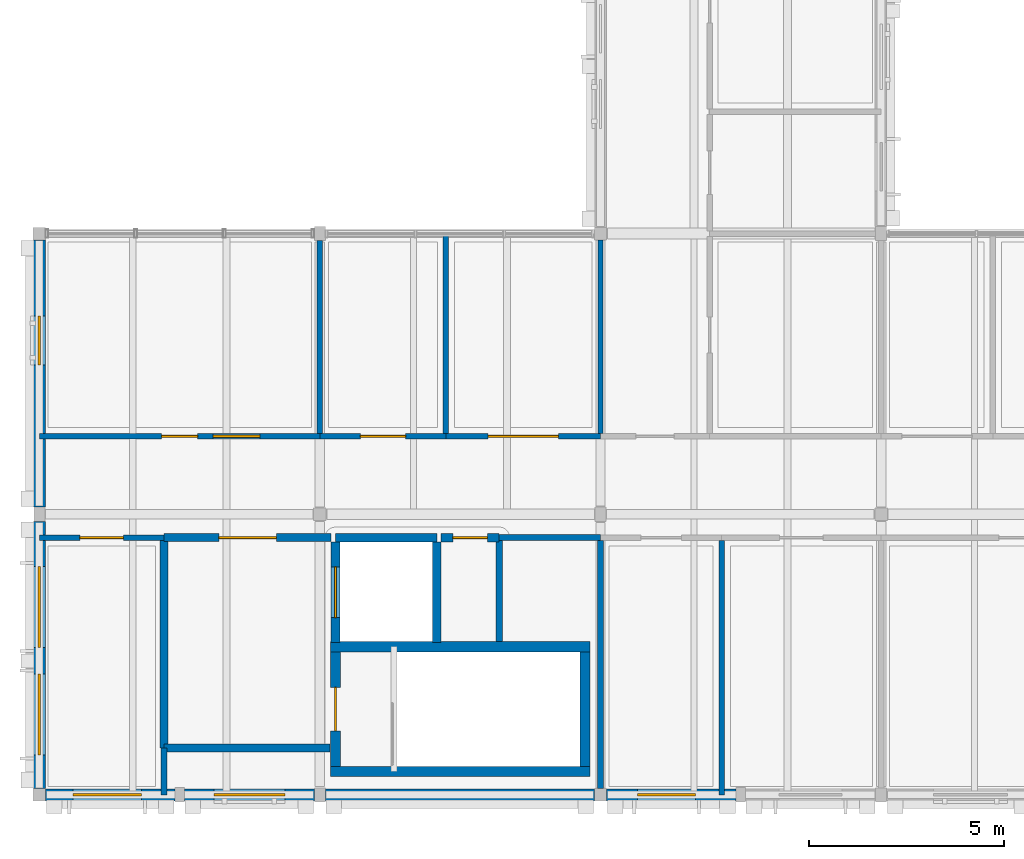
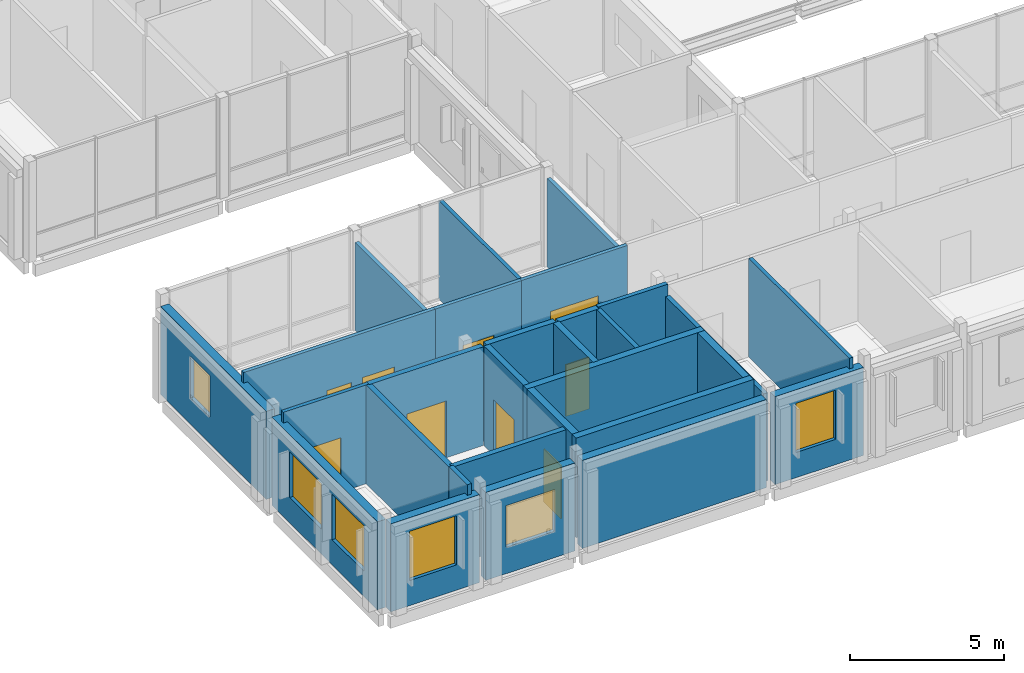
# One storey, part 81 of 115: 29 walls, 8 doors, 7 windows, 15 openings.
"""IFC4 building model written with IfcOpenShell, lengths in metres."""

from ifc_helpers import new_model, si_unit, direction, frame, frame_2d, origin, place, context, subcontext, project, spatial, rectangle, extrude, material, layer, layer_set, type_object, element, fill, save


model = new_model("IFC4")

# Units and contexts
model_context = context("Model", 3, precision=1e-05, world=origin(), true_north=direction((0.0, 1.0)))
body_context = subcontext(model_context, "Body", "Model", "MODEL_VIEW")
ifc_project = project(units=[si_unit("LENGTHUNIT", "METRE"), si_unit("AREAUNIT", "SQUARE_METRE"), si_unit("VOLUMEUNIT", "CUBIC_METRE"), si_unit("PLANEANGLEUNIT", "RADIAN"), si_unit("MASSUNIT", "GRAM", prefix="KILO")], contexts=[model_context])

# Site, building, storey
site_placement = place(None, origin())
site = spatial("IfcSite", under=ifc_project, at=site_placement, CompositionType="ELEMENT")
building_placement = place(site_placement, origin())
building = spatial("IfcBuilding", under=site, at=building_placement, Name="Hawrajan Terrace Health Centre", CompositionType="ELEMENT")
storey_placement = place(building_placement, frame((0.0, 0.0, 9.0)))
storey = spatial("IfcBuildingStorey", under=building, at=storey_placement, Name="L02", CompositionType="ELEMENT", Elevation=9.0)

# Wall, opening, window
ifc_material_1 = material(Name="Precast concrete C40/50", Category="concrete")
ifc_layer_1 = layer(ifc_material_1, 0.31005859375)
ifc_layer_set_1 = layer_set([ifc_layer_1], Name="Precast concrete C40/50")
wall_type_1 = type_object("IfcWallType", Name="ArtDecoFacadeWall_310", PredefinedType="SOLIDWALL", material=ifc_layer_set_1)
wall_1_placement = place(storey_placement, frame((4.760009765625, 4.199951171875, 0.0), z_axis=(0.0, 0.0, 1.0), x_axis=(1.0, 0.0, 0.0)))
wall_1 = element("IfcWall", 1, at=wall_1_placement, inside=storey, type_object=wall_type_1, Name="Exterior wall EW-L02-H00-00-1", PredefinedType="SOLIDWALL", context=body_context, shape_type="SweptSolid", body=[
    extrude(rectangle(XDim=3.320068359375, YDim=0.31005859375, at=frame_2d((1.66015625, 0.0))), origin(), (0.0, 0.0, 1.0), 3.489990234375),
])
opening_1_placement = place(wall_1_placement, frame((0.699951171875, 0.0, 1.0)))
opening_1 = element("IfcOpeningElement", 2, at=opening_1_placement, cuts=wall_1, Name="Opening W-L02-110", PredefinedType="OPENING", context=body_context, shape_type="SweptSolid", body=[
    extrude(rectangle(XDim=1.760009765625, YDim=1.949951171875, at=frame_2d((0.8798828125, 0.97509765625))), frame((0.0, 0.1650390625, 0.0), z_axis=(0.0, -1.0, 0.0), x_axis=(1.0, 0.0, 0.0)), (0.0, 0.0, 1.0), 0.330078125),
])
ifc_material_2 = material(Name="Anodized bronze frame with double low-E glazing", Category="glass")
window_type_1 = type_object("IfcWindowType", Name="FacadeWindow_1760x1950", PartitioningType="DOUBLE_PANEL_VERTICAL", PredefinedType="WINDOW", material=ifc_material_2)
window_1_placement = place(opening_1_placement, origin())
window_1 = element("IfcWindow", 3, at=window_1_placement, inside=storey, type_object=window_type_1, Name="Window W-L02-110", OverallHeight=1.949951171875, OverallWidth=1.760009765625, PartitioningType="DOUBLE_PANEL_VERTICAL", PredefinedType="WINDOW", context=body_context, shape_type="SweptSolid", body=[
    extrude(rectangle(XDim=1.760009765625, YDim=1.949951171875, at=frame_2d((0.8798828125, 0.97509765625))), frame((0.0, 0.030029296875, 0.0), z_axis=(0.0, -1.0, 0.0), x_axis=(1.0, 0.0, 0.0)), (0.0, 0.0, 1.0), 0.06005859375),
])
fill(opening_1, window_1)

wall_2_placement = place(storey_placement, frame((8.320068359375, 4.199951171875, 0.0), z_axis=(0.0, 0.0, 1.0), x_axis=(1.0, 0.0, 0.0)))
wall_2 = element("IfcWall", 4, at=wall_2_placement, inside=storey, type_object=wall_type_1, Name="Exterior wall EW-L02-H00-00-2", PredefinedType="SOLIDWALL", context=body_context, shape_type="SweptSolid", body=[
    extrude(rectangle(XDim=3.33984375, YDim=0.31005859375, at=frame_2d((1.669921875, 0.0))), origin(), (0.0, 0.0, 1.0), 3.489990234375),
])
opening_2_placement = place(wall_2_placement, frame((0.760009765625, 0.0, 1.050048828125)))
opening_2 = element("IfcOpeningElement", 5, at=opening_2_placement, cuts=wall_2, Name="Opening W-L02-111", PredefinedType="OPENING", context=body_context, shape_type="SweptSolid", body=[
    extrude(rectangle(XDim=1.820068359375, YDim=1.64990234375, at=frame_2d((0.91015625, 0.824951171875))), frame((0.0, 0.1650390625, 0.0), z_axis=(0.0, -1.0, 0.0), x_axis=(1.0, 0.0, 0.0)), (0.0, 0.0, 1.0), 0.330078125),
])
window_type_2 = type_object("IfcWindowType", Name="FacadeWindow_1820x1650", PartitioningType="DOUBLE_PANEL_VERTICAL", PredefinedType="WINDOW", material=ifc_material_2)
window_2_placement = place(opening_2_placement, origin())
window_2 = element("IfcWindow", 6, at=window_2_placement, inside=storey, type_object=window_type_2, Name="Window W-L02-111", OverallHeight=1.64990234375, OverallWidth=1.820068359375, PartitioningType="DOUBLE_PANEL_VERTICAL", PredefinedType="WINDOW", context=body_context, shape_type="SweptSolid", body=[
    extrude(rectangle(XDim=1.820068359375, YDim=1.64990234375, at=frame_2d((0.91015625, 0.824951171875))), frame((0.0, 0.030029296875, 0.0), z_axis=(0.0, -1.0, 0.0), x_axis=(1.0, 0.0, 0.0)), (0.0, 0.0, 1.0), 0.06005859375),
])
fill(opening_2, window_2)

# Wall, openings, windows
wall_3_placement = place(storey_placement, frame((4.60009765625, 4.360107421875, 0.0), z_axis=(0.0, 0.0, 1.0), x_axis=(0.0, 1.0, 0.0)))
wall_3 = element("IfcWall", 7, at=wall_3_placement, inside=storey, type_object=wall_type_1, Name="Exterior wall EW-L02-V00-00-1", PredefinedType="SOLIDWALL", context=body_context, shape_type="SweptSolid", body=[
    extrude(rectangle(XDim=6.85986328125, YDim=0.31005859375, at=frame_2d((3.429931640625, 0.0))), origin(), (0.0, 0.0, 1.0), 3.489990234375),
])
opening_3_placement = place(wall_3_placement, frame((0.860107421875, 0.0, 1.0)))
opening_3 = element("IfcOpeningElement", 8, at=opening_3_placement, cuts=wall_3, Name="Opening W-L02-112", PredefinedType="OPENING", context=body_context, shape_type="SweptSolid", body=[
    extrude(rectangle(XDim=2.080078125, YDim=1.800048828125, at=frame_2d((1.0400390625, 0.89990234375))), frame((0.0, 0.1650390625, 0.0), z_axis=(0.0, -1.0, 0.0), x_axis=(1.0, 0.0, 0.0)), (0.0, 0.0, 1.0), 0.330078125),
])
opening_4_placement = place(wall_3_placement, frame((3.6201171875, 0.0, 1.0)))
opening_4 = element("IfcOpeningElement", 9, at=opening_4_placement, cuts=wall_3, Name="Opening W-L02-113", PredefinedType="OPENING", context=body_context, shape_type="SweptSolid", body=[
    extrude(rectangle(XDim=2.080078125, YDim=1.800048828125, at=frame_2d((1.0400390625, 0.89990234375))), frame((0.0, 0.1650390625, 0.0), z_axis=(0.0, -1.0, 0.0), x_axis=(1.0, 0.0, 0.0)), (0.0, 0.0, 1.0), 0.330078125),
])
window_type_3 = type_object("IfcWindowType", Name="FacadeWindow_2080x1800", PartitioningType="DOUBLE_PANEL_VERTICAL", PredefinedType="WINDOW", material=ifc_material_2)
window_3_placement = place(opening_3_placement, origin())
window_3 = element("IfcWindow", 10, at=window_3_placement, inside=storey, type_object=window_type_3, Name="Window W-L02-112", OverallHeight=1.800048828125, OverallWidth=2.080078125, PartitioningType="DOUBLE_PANEL_VERTICAL", PredefinedType="WINDOW", context=body_context, shape_type="SweptSolid", body=[
    extrude(rectangle(XDim=2.080078125, YDim=1.800048828125, at=frame_2d((1.0400390625, 0.89990234375))), frame((0.0, 0.030029296875, 0.0), z_axis=(0.0, -1.0, 0.0), x_axis=(1.0, 0.0, 0.0)), (0.0, 0.0, 1.0), 0.06005859375),
])
fill(opening_3, window_3)
window_4_placement = place(opening_4_placement, origin())
window_4 = element("IfcWindow", 11, at=window_4_placement, inside=storey, type_object=window_type_3, Name="Window W-L02-113", OverallHeight=1.800048828125, OverallWidth=2.080078125, PartitioningType="DOUBLE_PANEL_VERTICAL", PredefinedType="WINDOW", context=body_context, shape_type="SweptSolid", body=[
    extrude(rectangle(XDim=2.080078125, YDim=1.800048828125, at=frame_2d((1.0400390625, 0.89990234375))), frame((0.0, 0.030029296875, 0.0), z_axis=(0.0, -1.0, 0.0), x_axis=(1.0, 0.0, 0.0)), (0.0, 0.0, 1.0), 0.06005859375),
])
fill(opening_4, window_4)

# Wall, opening, window
wall_4_placement = place(storey_placement, frame((4.60009765625, 11.580078125, 0.0), z_axis=(0.0, 0.0, 1.0), x_axis=(0.0, 1.0, 0.0)))
wall_4 = element("IfcWall", 12, at=wall_4_placement, inside=storey, type_object=wall_type_1, Name="Exterior wall EW-L02-V00-01-1", PredefinedType="SOLIDWALL", context=body_context, shape_type="SweptSolid", body=[
    extrude(rectangle(XDim=6.85986328125, YDim=0.31005859375, at=frame_2d((3.429931640625, 0.0))), origin(), (0.0, 0.0, 1.0), 3.489990234375),
])
opening_5_placement = place(wall_4_placement, frame((3.64990234375, 0.0, 1.050048828125)))
opening_5 = element("IfcOpeningElement", 13, at=opening_5_placement, cuts=wall_4, Name="Opening W-L02-114", PredefinedType="OPENING", context=body_context, shape_type="SweptSolid", body=[
    extrude(rectangle(XDim=1.260009765625, YDim=1.64990234375, at=frame_2d((0.6298828125, 0.824951171875))), frame((0.0, 0.1650390625, 0.0), z_axis=(0.0, -1.0, 0.0), x_axis=(1.0, 0.0, 0.0)), (0.0, 0.0, 1.0), 0.330078125),
])
window_type_4 = type_object("IfcWindowType", Name="FacadeWindow_1260x1650", PartitioningType="SINGLE_PANEL", PredefinedType="WINDOW", material=ifc_material_2)
window_5_placement = place(opening_5_placement, origin())
window_5 = element("IfcWindow", 14, at=window_5_placement, inside=storey, type_object=window_type_4, Name="Window W-L02-114", OverallHeight=1.64990234375, OverallWidth=1.260009765625, PartitioningType="SINGLE_PANEL", PredefinedType="WINDOW", context=body_context, shape_type="SweptSolid", body=[
    extrude(rectangle(XDim=1.260009765625, YDim=1.64990234375, at=frame_2d((0.6298828125, 0.824951171875))), frame((0.0, 0.030029296875, 0.0), z_axis=(0.0, -1.0, 0.0), x_axis=(1.0, 0.0, 0.0)), (0.0, 0.0, 1.0), 0.06005859375),
])
fill(opening_5, window_5)

# Wall
wall_5_placement = place(storey_placement, frame((11.93994140625, 4.199951171875, 0.0), z_axis=(0.0, 0.0, 1.0), x_axis=(1.0, 0.0, 0.0)))
element("IfcWall", 15, at=wall_5_placement, inside=storey, type_object=wall_type_1, Name="Exterior wall EW-L02-H01-00-1", PredefinedType="SOLIDWALL", context=body_context, shape_type="SweptSolid", body=[
    extrude(rectangle(XDim=6.900146484375, YDim=0.31005859375, at=frame_2d((3.4501953125, 0.0))), origin(), (0.0, 0.0, 1.0), 3.489990234375),
])

# Wall, opening, window
wall_6_placement = place(storey_placement, frame((19.159912109375, 4.199951171875, 0.0), z_axis=(0.0, 0.0, 1.0), x_axis=(1.0, 0.0, 0.0)))
wall_6 = element("IfcWall", 16, at=wall_6_placement, inside=storey, type_object=wall_type_1, Name="Exterior wall EW-L02-H02-00-1", PredefinedType="SOLIDWALL", context=body_context, shape_type="SweptSolid", body=[
    extrude(rectangle(XDim=3.320068359375, YDim=0.31005859375, at=frame_2d((1.66015625, 0.0))), origin(), (0.0, 0.0, 1.0), 3.489990234375),
])
opening_6_placement = place(wall_6_placement, frame((0.795166015625, 0.0, 1.0)))
opening_6 = element("IfcOpeningElement", 17, at=opening_6_placement, cuts=wall_6, Name="Opening W-L02-124", PredefinedType="OPENING", context=body_context, shape_type="SweptSolid", body=[
    extrude(rectangle(XDim=1.47998046875, YDim=1.949951171875, at=frame_2d((0.739990234375, 0.97509765625))), frame((0.0, 0.1650390625, 0.0), z_axis=(0.0, -1.0, 0.0), x_axis=(1.0, 0.0, 0.0)), (0.0, 0.0, 1.0), 0.330078125),
])
window_type_5 = type_object("IfcWindowType", Name="FacadeWindow_1480x1950", PartitioningType="SINGLE_PANEL", PredefinedType="WINDOW", material=ifc_material_2)
window_6_placement = place(opening_6_placement, origin())
window_6 = element("IfcWindow", 18, at=window_6_placement, inside=storey, type_object=window_type_5, Name="Window W-L02-124", OverallHeight=1.949951171875, OverallWidth=1.47998046875, PartitioningType="SINGLE_PANEL", PredefinedType="WINDOW", context=body_context, shape_type="SweptSolid", body=[
    extrude(rectangle(XDim=1.47998046875, YDim=1.949951171875, at=frame_2d((0.739990234375, 0.97509765625))), frame((0.0, 0.030029296875, 0.0), z_axis=(0.0, -1.0, 0.0), x_axis=(1.0, 0.0, 0.0)), (0.0, 0.0, 1.0), 0.06005859375),
])
fill(opening_6, window_6)

# Wall, opening, door
ifc_material_3 = material(Name="Gypsum board on acoustic stud framing")
ifc_layer_2 = layer(ifc_material_3, 0.139892578125)
ifc_layer_set_2 = layer_set([ifc_layer_2], Name="Gypsum board on acoustic stud framing")
wall_type_2 = type_object("IfcWallType", Name="ClinicalAcousticWall_140", PredefinedType="PARTITIONING", material=ifc_layer_set_2)
wall_7_placement = place(storey_placement, frame((4.60009765625, 10.800048828125, 0.0), z_axis=(0.0, 0.0, 1.0), x_axis=(1.0, 0.0, 0.0)))
wall_7 = element("IfcWall", 19, at=wall_7_placement, inside=storey, type_object=wall_type_2, Name="Interior wall IW-L02-0979", PredefinedType="PARTITIONING", context=body_context, shape_type="SweptSolid", body=[
    extrude(rectangle(XDim=3.199951171875, YDim=0.139892578125, at=frame_2d((1.60009765625, 0.0))), origin(), (0.0, 0.0, 1.0), 3.909912109375),
])
opening_7_placement = place(wall_7_placement, frame((1.0400390625, 0.0, 0.0)))
opening_7 = element("IfcOpeningElement", 20, at=opening_7_placement, cuts=wall_7, Name="Opening D-L02-530", PredefinedType="OPENING", context=body_context, shape_type="SweptSolid", body=[
    extrude(rectangle(XDim=1.1201171875, YDim=2.14990234375, at=frame_2d((0.56005859375, 1.074951171875))), frame((0.0, 0.079833984375, 0.0), z_axis=(0.0, -1.0, 0.0), x_axis=(1.0, 0.0, 0.0)), (0.0, 0.0, 1.0), 0.159912109375),
])
ifc_material_4 = material(Name="Hardwood acoustic clinical door leaf and frame", Category="wood")
door_type_1 = type_object("IfcDoorType", Name="DentalSurgeryDoor_1120x2150", OperationType="NOTDEFINED", PredefinedType="DOOR", material=ifc_material_4)
door_1_placement = place(opening_7_placement, origin())
door_1 = element("IfcDoor", 21, at=door_1_placement, inside=storey, type_object=door_type_1, Name="Interior door D-L02-530", OperationType="SINGLE_SWING_RIGHT", OverallHeight=2.14990234375, OverallWidth=1.1201171875, PredefinedType="DOOR", context=body_context, shape_type="SweptSolid", body=[
    extrude(rectangle(XDim=1.1201171875, YDim=2.14990234375, at=frame_2d((0.56005859375, 1.074951171875))), frame((0.0, 0.02490234375, 0.0), z_axis=(0.0, -1.0, 0.0), x_axis=(1.0, 0.0, 0.0)), (0.0, 0.0, 1.0), 0.050048828125),
])
fill(opening_7, door_1)

# Wall, openings, window, door
wall_8_placement = place(storey_placement, frame((4.60009765625, 13.39990234375, 0.0), z_axis=(0.0, 0.0, 1.0), x_axis=(1.0, 0.0, 0.0)))
wall_8 = element("IfcWall", 22, at=wall_8_placement, inside=storey, type_object=wall_type_2, Name="Interior wall IW-L02-0980", PredefinedType="PARTITIONING", context=body_context, shape_type="SweptSolid", body=[
    extrude(rectangle(XDim=7.199951171875, YDim=0.139892578125, at=frame_2d((3.60009765625, 0.0))), origin(), (0.0, 0.0, 1.0), 3.909912109375),
])
opening_8_placement = place(wall_8_placement, frame((3.139892578125, 0.0, 0.0)))
opening_8 = element("IfcOpeningElement", 23, at=opening_8_placement, cuts=wall_8, Name="Opening D-L02-531", PredefinedType="OPENING", context=body_context, shape_type="SweptSolid", body=[
    extrude(rectangle(XDim=0.919921875, YDim=2.10009765625, at=frame_2d((0.4599609375, 1.050048828125))), frame((0.0, 0.079833984375, 0.0), z_axis=(0.0, -1.0, 0.0), x_axis=(1.0, 0.0, 0.0)), (0.0, 0.0, 1.0), 0.159912109375),
])
opening_9_placement = place(wall_8_placement, frame((4.4599609375, 0.0, 1.050048828125)))
opening_9 = element("IfcOpeningElement", 24, at=opening_9_placement, cuts=wall_8, Name="Opening W-L02-I07", PredefinedType="OPENING", context=body_context, shape_type="SweptSolid", body=[
    extrude(rectangle(XDim=1.199951171875, YDim=1.10009765625, at=frame_2d((0.60009765625, 0.550048828125))), frame((0.0, 0.079833984375, 0.0), z_axis=(0.0, -1.0, 0.0), x_axis=(1.0, 0.0, 0.0)), (0.0, 0.0, 1.0), 0.159912109375),
])
ifc_material_5 = material(Name="Lead-lined and acoustic internal observation glazing", Category="glass")
window_type_6 = type_object("IfcWindowType", Name="InternalObsWindow_1200x1100", PartitioningType="SINGLE_PANEL", PredefinedType="WINDOW", material=ifc_material_5)
window_7_placement = place(opening_9_placement, origin())
window_7 = element("IfcWindow", 25, at=window_7_placement, inside=storey, type_object=window_type_6, Name="Observation window W-L02-I07", OverallHeight=1.10009765625, OverallWidth=1.199951171875, PartitioningType="SINGLE_PANEL", PredefinedType="WINDOW", context=body_context, shape_type="SweptSolid", body=[
    extrude(rectangle(XDim=1.199951171875, YDim=1.10009765625, at=frame_2d((0.60009765625, 0.550048828125))), frame((0.0, 0.030029296875, 0.0), z_axis=(0.0, -1.0, 0.0), x_axis=(1.0, 0.0, 0.0)), (0.0, 0.0, 1.0), 0.06005859375),
])
fill(opening_9, window_7)
door_type_2 = type_object("IfcDoorType", Name="StaffOfficeDoor_920x2100", OperationType="NOTDEFINED", PredefinedType="DOOR", material=ifc_material_4)
door_2_placement = place(opening_8_placement, origin())
door_2 = element("IfcDoor", 26, at=door_2_placement, inside=storey, type_object=door_type_2, Name="Interior door D-L02-531", OperationType="SINGLE_SWING_LEFT", OverallHeight=2.10009765625, OverallWidth=0.919921875, PredefinedType="DOOR", context=body_context, shape_type="SweptSolid", body=[
    extrude(rectangle(XDim=0.919921875, YDim=2.10009765625, at=frame_2d((0.4599609375, 1.050048828125))), frame((0.0, 0.02490234375, 0.0), z_axis=(0.0, -1.0, 0.0), x_axis=(1.0, 0.0, 0.0)), (0.0, 0.0, 1.0), 0.050048828125),
])
fill(opening_8, door_2)

# Wall
wall_9_placement = place(storey_placement, frame((11.800048828125, 13.469970703125, 0.0), z_axis=(0.0, 0.0, 1.0), x_axis=(0.0, 1.0, 0.0)))
element("IfcWall", 27, at=wall_9_placement, inside=storey, type_object=wall_type_2, Name="Interior wall IW-L02-0998", PredefinedType="PARTITIONING", context=body_context, shape_type="SweptSolid", body=[
    extrude(rectangle(XDim=4.949951171875, YDim=0.139892578125, at=frame_2d((2.47509765625, 0.0))), origin(), (0.0, 0.0, 1.0), 3.489990234375),
])

# Wall, opening, door
wall_10_placement = place(storey_placement, frame((11.800048828125, 13.39990234375, 0.0), z_axis=(0.0, 0.0, 1.0), x_axis=(1.0, 0.0, 0.0)))
wall_10 = element("IfcWall", 28, at=wall_10_placement, inside=storey, type_object=wall_type_2, Name="Interior wall IW-L02-0999", PredefinedType="PARTITIONING", context=body_context, shape_type="SweptSolid", body=[
    extrude(rectangle(XDim=3.23291015625, YDim=0.139892578125, at=frame_2d((1.616455078125, 0.0))), origin(), (0.0, 0.0, 1.0), 3.909912109375),
])
opening_10_placement = place(wall_10_placement, frame((1.03662109375, 0.0, 0.0)))
opening_10 = element("IfcOpeningElement", 29, at=opening_10_placement, cuts=wall_10, Name="Opening D-L02-532", PredefinedType="OPENING", context=body_context, shape_type="SweptSolid", body=[
    extrude(rectangle(XDim=1.159912109375, YDim=2.10009765625, at=frame_2d((0.580078125, 1.050048828125))), frame((0.0, 0.079833984375, 0.0), z_axis=(0.0, -1.0, 0.0), x_axis=(1.0, 0.0, 0.0)), (0.0, 0.0, 1.0), 0.159912109375),
])
door_type_3 = type_object("IfcDoorType", Name="ConsultDoor_1160x2100", OperationType="NOTDEFINED", PredefinedType="DOOR", material=ifc_material_4)
door_3_placement = place(opening_10_placement, origin())
door_3 = element("IfcDoor", 30, at=door_3_placement, inside=storey, type_object=door_type_3, Name="Interior door D-L02-532", OperationType="SINGLE_SWING_RIGHT", OverallHeight=2.10009765625, OverallWidth=1.159912109375, PredefinedType="DOOR", context=body_context, shape_type="SweptSolid", body=[
    extrude(rectangle(XDim=1.159912109375, YDim=2.10009765625, at=frame_2d((0.580078125, 1.050048828125))), frame((0.0, 0.02490234375, 0.0), z_axis=(0.0, -1.0, 0.0), x_axis=(1.0, 0.0, 0.0)), (0.0, 0.0, 1.0), 0.050048828125),
])
fill(opening_10, door_3)

# Wall
wall_11_placement = place(storey_placement, frame((15.032958984375, 13.469970703125, 0.0), z_axis=(0.0, 0.0, 1.0), x_axis=(0.0, 1.0, 0.0)))
element("IfcWall", 31, at=wall_11_placement, inside=storey, type_object=wall_type_2, Name="Interior wall IW-L02-1013", PredefinedType="PARTITIONING", context=body_context, shape_type="SweptSolid", body=[
    extrude(rectangle(XDim=5.130126953125, YDim=0.139892578125, at=frame_2d((2.56494140625, 0.0))), origin(), (0.0, 0.0, 1.0), 3.909912109375),
])

# Wall, opening, door
wall_12_placement = place(storey_placement, frame((15.032958984375, 13.39990234375, 0.0), z_axis=(0.0, 0.0, 1.0), x_axis=(1.0, 0.0, 0.0)))
wall_12 = element("IfcWall", 32, at=wall_12_placement, inside=storey, type_object=wall_type_2, Name="Interior wall IW-L02-1014", PredefinedType="PARTITIONING", context=body_context, shape_type="SweptSolid", body=[
    extrude(rectangle(XDim=3.967041015625, YDim=0.139892578125, at=frame_2d((1.9833984375, 0.0))), origin(), (0.0, 0.0, 1.0), 3.909912109375),
])
opening_11_placement = place(wall_12_placement, frame((1.08349609375, 0.0, 0.0)))
opening_11 = element("IfcOpeningElement", 33, at=opening_11_placement, cuts=wall_12, Name="Opening D-L02-533", PredefinedType="OPENING", context=body_context, shape_type="SweptSolid", body=[
    extrude(rectangle(XDim=1.800048828125, YDim=2.300048828125, at=frame_2d((0.89990234375, 1.14990234375))), frame((0.0, 0.079833984375, 0.0), z_axis=(0.0, -1.0, 0.0), x_axis=(1.0, 0.0, 0.0)), (0.0, 0.0, 1.0), 0.159912109375),
])
door_type_4 = type_object("IfcDoorType", Name="EducationHallDoor_1800x2300", OperationType="DOUBLE_DOOR_SINGLE_SWING", PredefinedType="DOOR", material=ifc_material_4)
door_4_placement = place(opening_11_placement, origin())
door_4 = element("IfcDoor", 34, at=door_4_placement, inside=storey, type_object=door_type_4, Name="Interior door D-L02-533", OperationType="DOUBLE_DOOR_SINGLE_SWING", OverallHeight=2.300048828125, OverallWidth=1.800048828125, PredefinedType="DOOR", context=body_context, shape_type="SweptSolid", body=[
    extrude(rectangle(XDim=1.800048828125, YDim=2.300048828125, at=frame_2d((0.89990234375, 1.14990234375))), frame((0.0, 0.02490234375, 0.0), z_axis=(0.0, -1.0, 0.0), x_axis=(1.0, 0.0, 0.0)), (0.0, 0.0, 1.0), 0.050048828125),
])
fill(opening_11, door_4)

# Walls
wall_13_placement = place(storey_placement, frame((19.0, 13.469970703125, 0.0), z_axis=(0.0, 0.0, 1.0), x_axis=(0.0, 1.0, 0.0)))
element("IfcWall", 35, at=wall_13_placement, inside=storey, type_object=wall_type_2, Name="Interior wall IW-L02-1023", PredefinedType="PARTITIONING", context=body_context, shape_type="SweptSolid", body=[
    extrude(rectangle(XDim=4.969970703125, YDim=0.139892578125, at=frame_2d((2.48486328125, 0.0))), origin(), (0.0, 0.0, 1.0), 3.489990234375),
])
wall_14_placement = place(storey_placement, frame((22.110107421875, 4.199951171875, 0.0), z_axis=(0.0, 0.0, 1.0), x_axis=(0.0, 1.0, 0.0)))
element("IfcWall", 36, at=wall_14_placement, inside=storey, type_object=wall_type_2, Name="Interior wall IW-L02-1048", PredefinedType="PARTITIONING", context=body_context, shape_type="SweptSolid", body=[
    extrude(rectangle(XDim=6.530029296875, YDim=0.139892578125, at=frame_2d((3.26513671875, 0.0))), origin(), (0.0, 0.0, 1.0), 3.909912109375),
])
ifc_material_6 = material(Name="Concrete C40/50", Category="concrete")
ifc_layer_3 = layer(ifc_material_6, 0.260009765625)
ifc_layer_set_3 = layer_set([ifc_layer_3], Name="Concrete C40/50")
wall_type_3 = type_object("IfcWallType", Name="CoreShearWall_RC260", PredefinedType="SHEAR", material=ifc_layer_set_3)
for number, where, z_axis, x_axis, name in (
    (37, (12.070068359375, 4.800048828125, 0.0), (0.0, 0.0, 1.0), (1.0, 0.0, 0.0), "Core shear wall SW-C3-L02-S"),
    (38, (12.070068359375, 8.0, 0.0), (0.0, 0.0, 1.0), (1.0, 0.0, 0.0), "Core shear wall SW-C3-L02-N"),
):
    element("IfcWall", number, at=place(storey_placement, frame(where, z_axis=z_axis, x_axis=x_axis)), inside=storey, type_object=wall_type_3, Name=name, PredefinedType="SHEAR", context=body_context, shape_type="SweptSolid", body=[
        extrude(rectangle(XDim=6.659912109375, YDim=0.260009765625, at=frame_2d((3.330078125, 0.0))), origin(), (0.0, 0.0, 1.0), 3.949951171875),
    ])

# Wall, opening, door
wall_15_placement = place(storey_placement, frame((12.199951171875, 4.929931640625, 0.0), z_axis=(0.0, 0.0, 1.0), x_axis=(0.0, 1.0, 0.0)))
wall_15 = element("IfcWall", 39, at=wall_15_placement, inside=storey, type_object=wall_type_3, Name="Core shear wall SW-C3-L02-W", PredefinedType="SHEAR", context=body_context, shape_type="SweptSolid", body=[
    extrude(rectangle(XDim=2.940185546875, YDim=0.260009765625, at=frame_2d((1.47021484375, 0.0))), origin(), (0.0, 0.0, 1.0), 3.949951171875),
])
opening_12_placement = place(wall_15_placement, frame((0.909912109375, 0.0, 0.0)))
opening_12 = element("IfcOpeningElement", 40, at=opening_12_placement, cuts=wall_15, Name="Opening D-L02-433", PredefinedType="OPENING", context=body_context, shape_type="SweptSolid", body=[
    extrude(rectangle(XDim=1.1201171875, YDim=2.10009765625, at=frame_2d((0.56005859375, 1.050048828125))), frame((0.0, 0.139892578125, 0.0), z_axis=(0.0, -1.0, 0.0), x_axis=(1.0, 0.0, 0.0)), (0.0, 0.0, 1.0), 0.280029296875),
])
ifc_material_7 = material(Name="Timber-veneered acoustic fire-resisting door assembly", Category="wood")
door_type_5 = type_object("IfcDoorType", Name="CoreStairDoor_1120x2100", OperationType="NOTDEFINED", PredefinedType="DOOR", material=ifc_material_7)
door_5_placement = place(opening_12_placement, origin())
door_5 = element("IfcDoor", 41, at=door_5_placement, inside=storey, type_object=door_type_5, Name="Interior door D-L02-433", OperationType="SINGLE_SWING_LEFT", OverallHeight=2.10009765625, OverallWidth=1.1201171875, PredefinedType="DOOR", context=body_context, shape_type="SweptSolid", body=[
    extrude(rectangle(XDim=1.1201171875, YDim=2.10009765625, at=frame_2d((0.56005859375, 1.050048828125))), frame((0.0, 0.02490234375, 0.0), z_axis=(0.0, -1.0, 0.0), x_axis=(1.0, 0.0, 0.0)), (0.0, 0.0, 1.0), 0.050048828125),
])
fill(opening_12, door_5)

# Walls
wall_16_placement = place(storey_placement, frame((18.60009765625, 4.929931640625, 0.0), z_axis=(0.0, 0.0, 1.0), x_axis=(0.0, 1.0, 0.0)))
element("IfcWall", 42, at=wall_16_placement, inside=storey, type_object=wall_type_3, Name="Core shear wall SW-C3-L02-E", PredefinedType="SHEAR", context=body_context, shape_type="SweptSolid", body=[
    extrude(rectangle(XDim=2.940185546875, YDim=0.260009765625, at=frame_2d((1.47021484375, 0.0))), origin(), (0.0, 0.0, 1.0), 3.949951171875),
])
ifc_layer_4 = layer(ifc_material_3, 0.159912109375)
ifc_layer_set_4 = layer_set([ifc_layer_4], Name="Gypsum board on acoustic stud framing")
wall_type_4 = type_object("IfcWallType", Name="CorridorFireWall_160", PredefinedType="PARTITIONING", material=ifc_layer_set_4)
wall_17_placement = place(storey_placement, frame((16.39990234375, 8.139892578125, 0.0), z_axis=(0.0, 0.0, 1.0), x_axis=(0.0, 1.0, 0.0)))
element("IfcWall", 43, at=wall_17_placement, inside=storey, type_object=wall_type_4, Name="Interior wall IW-L02-1211", PredefinedType="PARTITIONING", context=body_context, shape_type="SweptSolid", body=[
    extrude(rectangle(XDim=2.590087890625, YDim=0.159912109375, at=frame_2d((1.294921875, 0.0))), origin(), (0.0, 0.0, 1.0), 3.909912109375),
])
wall_18_placement = place(storey_placement, frame((16.39990234375, 10.800048828125, 0.0), z_axis=(0.0, 0.0, 1.0), x_axis=(1.0, 0.0, 0.0)))
element("IfcWall", 44, at=wall_18_placement, inside=storey, type_object=wall_type_4, Name="Interior wall IW-L02-1226", PredefinedType="PARTITIONING", context=body_context, shape_type="SweptSolid", body=[
    extrude(rectangle(XDim=2.60009765625, YDim=0.159912109375, at=frame_2d((1.300048828125, 0.0))), origin(), (0.0, 0.0, 1.0), 3.9599609375),
])
wall_19_placement = place(storey_placement, frame((7.800048828125, 4.199951171875, 0.0), z_axis=(0.0, 0.0, 1.0), x_axis=(0.0, 1.0, 0.0)))
element("IfcWall", 45, at=wall_19_placement, inside=storey, type_object=wall_type_4, Name="Interior wall IW-L02-1262", PredefinedType="PARTITIONING", context=body_context, shape_type="SweptSolid", body=[
    extrude(rectangle(XDim=1.199951171875, YDim=0.159912109375, at=frame_2d((0.60009765625, 0.0))), origin(), (0.0, 0.0, 1.0), 3.909912109375),
])
wall_20_placement = place(storey_placement, frame((19.0, 4.360107421875, 0.0), z_axis=(0.0, 0.0, 1.0), x_axis=(0.0, 1.0, 0.0)))
element("IfcWall", 46, at=wall_20_placement, inside=storey, type_object=wall_type_4, Name="Interior wall IW-L02-1263", PredefinedType="PARTITIONING", context=body_context, shape_type="SweptSolid", body=[
    extrude(rectangle(XDim=6.369873046875, YDim=0.159912109375, at=frame_2d((3.18505859375, 0.0))), origin(), (0.0, 0.0, 1.0), 3.489990234375),
])
ifc_material_8 = material(Name="Cross-laminated timber CLT C24", Category="wood")
ifc_layer_5 = layer(ifc_material_8, 0.199951171875)
ifc_layer_set_5 = layer_set([ifc_layer_5], Name="Cross-laminated timber CLT C24")
wall_type_5 = type_object("IfcWallType", Name="FireCompartmentWall_200", PredefinedType="PARTITIONING", material=ifc_layer_set_5)
wall_21_placement = place(storey_placement, frame((7.800048828125, 5.39990234375, 0.0), z_axis=(0.0, 0.0, 1.0), x_axis=(0.0, 1.0, 0.0)))
element("IfcWall", 47, at=wall_21_placement, inside=storey, type_object=wall_type_5, Name="Interior wall IW-L02-0986", PredefinedType="PARTITIONING", context=body_context, shape_type="SweptSolid", body=[
    extrude(rectangle(XDim=5.330078125, YDim=0.199951171875, at=frame_2d((2.6650390625, 0.0))), origin(), (0.0, 0.0, 1.0), 3.909912109375),
])

# Wall, opening, door
wall_22_placement = place(storey_placement, frame((7.800048828125, 10.800048828125, 0.0), z_axis=(0.0, 0.0, 1.0), x_axis=(1.0, 0.0, 0.0)))
wall_22 = element("IfcWall", 48, at=wall_22_placement, inside=storey, type_object=wall_type_5, Name="Interior wall IW-L02-0987", PredefinedType="PARTITIONING", context=body_context, shape_type="SweptSolid", body=[
    extrude(rectangle(XDim=4.2900390625, YDim=0.199951171875, at=frame_2d((2.14501953125, 0.0))), origin(), (0.0, 0.0, 1.0), 3.909912109375),
])
opening_13_placement = place(wall_22_placement, frame((1.405029296875, 0.0, 0.0)))
opening_13 = element("IfcOpeningElement", 49, at=opening_13_placement, cuts=wall_22, Name="Opening D-L02-440", PredefinedType="OPENING", context=body_context, shape_type="SweptSolid", body=[
    extrude(rectangle(XDim=1.47998046875, YDim=2.25, at=frame_2d((0.739990234375, 1.125))), frame((0.0, 0.10986328125, 0.0), z_axis=(0.0, -1.0, 0.0), x_axis=(1.0, 0.0, 0.0)), (0.0, 0.0, 1.0), 0.219970703125),
])
door_type_6 = type_object("IfcDoorType", Name="FFLobbyDoor_1480x2250", OperationType="DOUBLE_DOOR_SINGLE_SWING", PredefinedType="DOOR", material=ifc_material_7)
door_6_placement = place(opening_13_placement, origin())
door_6 = element("IfcDoor", 50, at=door_6_placement, inside=storey, type_object=door_type_6, Name="Interior door D-L02-440", OperationType="DOUBLE_DOOR_SINGLE_SWING", OverallHeight=2.25, OverallWidth=1.47998046875, PredefinedType="DOOR", context=body_context, shape_type="SweptSolid", body=[
    extrude(rectangle(XDim=1.47998046875, YDim=2.25, at=frame_2d((0.739990234375, 1.125))), frame((0.0, 0.02490234375, 0.0), z_axis=(0.0, -1.0, 0.0), x_axis=(1.0, 0.0, 0.0)), (0.0, 0.0, 1.0), 0.050048828125),
])
fill(opening_13, door_6)

# Walls
wall_23_placement = place(storey_placement, frame((7.800048828125, 5.39990234375, 0.0), z_axis=(0.0, 0.0, 1.0), x_axis=(1.0, 0.0, 0.0)))
element("IfcWall", 51, at=wall_23_placement, inside=storey, type_object=wall_type_5, Name="Interior wall IW-L02-1215", PredefinedType="PARTITIONING", context=body_context, shape_type="SweptSolid", body=[
    extrude(rectangle(XDim=4.260009765625, YDim=0.199951171875, at=frame_2d((2.1298828125, 0.0))), origin(), (0.0, 0.0, 1.0), 3.909912109375),
])
ifc_layer_6 = layer(ifc_material_6, 0.219970703125)
ifc_layer_set_6 = layer_set([ifc_layer_6], Name="Concrete C40/50")
wall_type_6 = type_object("IfcWallType", Name="ShaftWall_RC220", PredefinedType="SOLIDWALL", material=ifc_layer_set_6)
wall_24_placement = place(storey_placement, frame((12.199951171875, 10.800048828125, 0.0), z_axis=(0.0, 0.0, 1.0), x_axis=(1.0, 0.0, 0.0)))
element("IfcWall", 52, at=wall_24_placement, inside=storey, type_object=wall_type_6, Name="Lift shaft wall LW-LC-04-L02-N", PredefinedType="SOLIDWALL", context=body_context, shape_type="SweptSolid", body=[
    extrude(rectangle(XDim=2.60009765625, YDim=0.219970703125, at=frame_2d((1.300048828125, 0.0))), origin(), (0.0, 0.0, 1.0), 3.949951171875),
])

# Wall, opening, door
wall_25_placement = place(storey_placement, frame((12.199951171875, 8.110107421875, 0.0), z_axis=(0.0, 0.0, 1.0), x_axis=(0.0, 1.0, 0.0)))
wall_25 = element("IfcWall", 53, at=wall_25_placement, inside=storey, type_object=wall_type_6, Name="Lift shaft wall LW-LC-04-L02-W", PredefinedType="SOLIDWALL", context=body_context, shape_type="SweptSolid", body=[
    extrude(rectangle(XDim=2.579833984375, YDim=0.219970703125, at=frame_2d((1.2900390625, 0.0))), origin(), (0.0, 0.0, 1.0), 3.949951171875),
])
opening_14_placement = place(wall_25_placement, frame((0.639892578125, 0.0, 0.0)))
opening_14 = element("IfcOpeningElement", 54, at=opening_14_placement, cuts=wall_25, Name="Opening LD-L02-LC-04", PredefinedType="OPENING", context=body_context, shape_type="SweptSolid", body=[
    extrude(rectangle(XDim=1.300048828125, YDim=2.199951171875, at=frame_2d((0.64990234375, 1.10009765625))), frame((0.0, 0.119873046875, 0.0), z_axis=(0.0, -1.0, 0.0), x_axis=(1.0, 0.0, 0.0)), (0.0, 0.0, 1.0), 0.239990234375),
])
ifc_material_9 = material(Name="Brushed bronze stainless-steel sliding lift landing door", Category="steel")
door_type_7 = type_object("IfcDoorType", Name="LiftLandingDoor_1300x2200", OperationType="SLIDING_TO_LEFT", PredefinedType="DOOR", material=ifc_material_9)
door_7_placement = place(opening_14_placement, origin())
door_7 = element("IfcDoor", 55, at=door_7_placement, inside=storey, type_object=door_type_7, Name="Lift landing door LD-L02-LC-04", OperationType="SLIDING_TO_LEFT", OverallHeight=2.199951171875, OverallWidth=1.300048828125, PredefinedType="DOOR", context=body_context, shape_type="SweptSolid", body=[
    extrude(rectangle(XDim=1.300048828125, YDim=2.199951171875, at=frame_2d((0.64990234375, 1.10009765625))), frame((0.0, 0.02490234375, 0.0), z_axis=(0.0, -1.0, 0.0), x_axis=(1.0, 0.0, 0.0)), (0.0, 0.0, 1.0), 0.050048828125),
])
fill(opening_14, door_7)

# Wall
wall_26_placement = place(storey_placement, frame((14.800048828125, 8.110107421875, 0.0), z_axis=(0.0, 0.0, 1.0), x_axis=(0.0, 1.0, 0.0)))
element("IfcWall", 56, at=wall_26_placement, inside=storey, type_object=wall_type_6, Name="Lift shaft wall LW-LC-04-L02-E", PredefinedType="SOLIDWALL", context=body_context, shape_type="SweptSolid", body=[
    extrude(rectangle(XDim=2.579833984375, YDim=0.219970703125, at=frame_2d((1.2900390625, 0.0))), origin(), (0.0, 0.0, 1.0), 3.949951171875),
])

# Wall, opening, door
wall_27_placement = place(storey_placement, frame((14.909912109375, 10.800048828125, 0.0), z_axis=(0.0, 0.0, 1.0), x_axis=(1.0, 0.0, 0.0)))
wall_27 = element("IfcWall", 57, at=wall_27_placement, inside=storey, type_object=wall_type_6, Name="Interior wall IW-L02-1012", PredefinedType="SOLIDWALL", context=body_context, shape_type="SweptSolid", body=[
    extrude(rectangle(XDim=1.489990234375, YDim=0.219970703125, at=frame_2d((0.7451171875, 0.0))), origin(), (0.0, 0.0, 1.0), 3.909912109375),
])
opening_15_placement = place(wall_27_placement, frame((0.304931640625, 0.0, 0.0)))
opening_15 = element("IfcOpeningElement", 58, at=opening_15_placement, cuts=wall_27, Name="Opening D-L02-461", PredefinedType="OPENING", context=body_context, shape_type="SweptSolid", body=[
    extrude(rectangle(XDim=0.8798828125, YDim=2.050048828125, at=frame_2d((0.43994140625, 1.02490234375))), frame((0.0, 0.119873046875, 0.0), z_axis=(0.0, -1.0, 0.0), x_axis=(1.0, 0.0, 0.0)), (0.0, 0.0, 1.0), 0.239990234375),
])
door_type_8 = type_object("IfcDoorType", Name="RiserAccessDoor_880x2050", OperationType="NOTDEFINED", PredefinedType="DOOR", material=ifc_material_7)
door_8_placement = place(opening_15_placement, origin())
door_8 = element("IfcDoor", 59, at=door_8_placement, inside=storey, type_object=door_type_8, Name="Service riser access door D-L02-461", OperationType="SINGLE_SWING_LEFT", OverallHeight=2.050048828125, OverallWidth=0.8798828125, PredefinedType="DOOR", context=body_context, shape_type="SweptSolid", body=[
    extrude(rectangle(XDim=0.8798828125, YDim=2.050048828125, at=frame_2d((0.43994140625, 1.02490234375))), frame((0.0, 0.02490234375, 0.0), z_axis=(0.0, -1.0, 0.0), x_axis=(1.0, 0.0, 0.0)), (0.0, 0.0, 1.0), 0.050048828125),
])
fill(opening_15, door_8)

save(model, "model.ifc")
